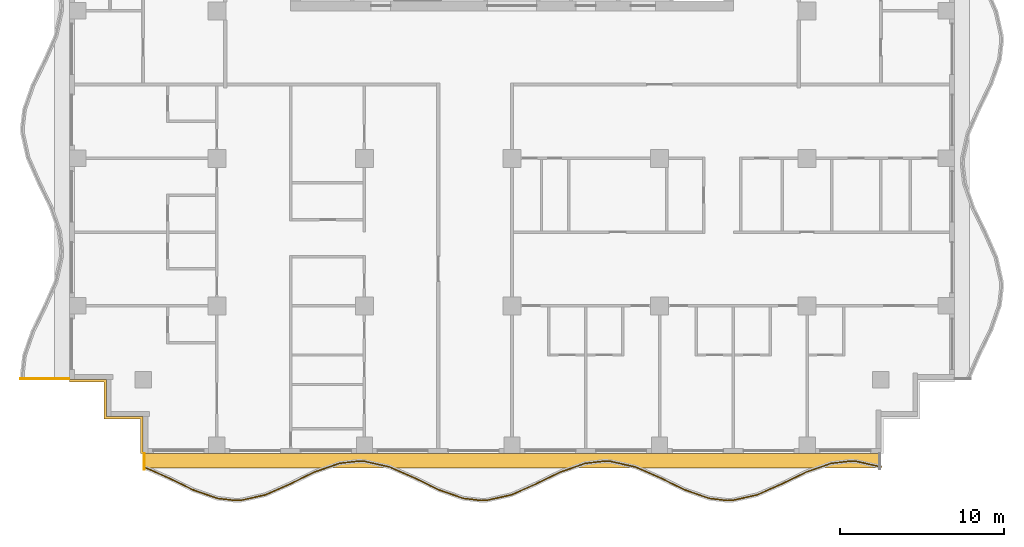
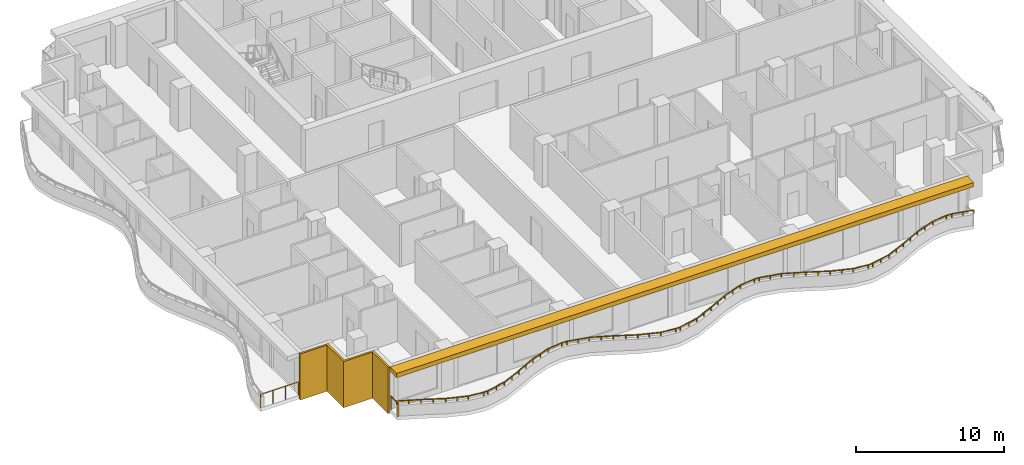
# One storey, part 9 of 12: 3 railings, 2 shading devices.
"""IFC4 building model written with IfcOpenShell, lengths in metres."""

from ifc_helpers import new_model, si_unit, direction, frame, origin, origin_2d, place, context, subcontext, project, spatial, polyline, rectangle, outline, extrude, material, layer, layer_set, type_object, element, save


model = new_model("IFC4")

# Units and contexts
model_context = context("Model", 3, precision=1e-05, world=origin(), true_north=direction((0.0, 1.0)))
body_context = subcontext(model_context, "Body", "Model", "MODEL_VIEW")
ifc_project = project(units=[si_unit("LENGTHUNIT", "METRE"), si_unit("AREAUNIT", "SQUARE_METRE"), si_unit("VOLUMEUNIT", "CUBIC_METRE"), si_unit("PLANEANGLEUNIT", "RADIAN"), si_unit("MASSUNIT", "GRAM", prefix="KILO")], contexts=[model_context])

# Site, building, storey
site_placement = place(None, origin())
site = spatial("IfcSite", under=ifc_project, at=site_placement, CompositionType="ELEMENT")
building_placement = place(site_placement, origin())
building = spatial("IfcBuilding", under=site, at=building_placement, Name="Orbiselva Terraces", CompositionType="ELEMENT")
storey_placement = place(building_placement, frame((0.0, 0.0, 207.2)))
storey = spatial("IfcBuildingStorey", under=building, at=storey_placement, Name="L52", CompositionType="ELEMENT", Elevation=207.2)

# Railings
ifc_material_1 = material(Name="Bonded two-ply safety glass balustrade, stainless steel posts", Category="steel")
railing_type_1 = type_object("IfcRailingType", Name="ENV-BALUSTRADE-1200", PredefinedType="BALUSTRADE", material=ifc_material_1)
railing_1_placement = place(storey_placement, frame((-22.449606, -23.33708, 0.9)))
element("IfcRailing", 1, at=railing_1_placement, inside=storey, type_object=railing_type_1, Name="Balcony balustrade L52 S", PredefinedType="BALUSTRADE", context=body_context, shape_type="SweptSolid", body=[
    extrude(outline(polyline([(0.028868, 0.0), (0.014434, 0.025), (-0.014434, 0.025), (-0.028868, 0.0), (-0.014434, -0.025), (0.014434, -0.025), (0.028868, 0.0)])), frame((0.0, 0.0, 0.275), z_axis=(0.915133394491, -0.403151175476, 0.0), x_axis=(0.403151175476, 0.915133394491, 0.0)), (0.0, 0.0, 1.0), 1.641563),
    extrude(outline(polyline([(0.028868, 0.0), (0.014434, 0.025), (-0.014434, 0.025), (-0.028868, 0.0), (-0.014434, -0.025), (0.014434, -0.025), (0.028868, 0.0)])), frame((1.502249, -0.661798, 0.275), z_axis=(0.89857890432, -0.438811978768, 0.0), x_axis=(0.438811978768, 0.89857890432, 0.0)), (0.0, 0.0, 1.0), 1.66438),
    extrude(outline(polyline([(0.028868, 0.0), (0.014434, 0.025), (-0.014434, 0.025), (-0.028868, 0.0), (-0.014434, -0.025), (0.014434, -0.025), (0.028868, 0.0)])), frame((2.997826, -1.392148, 0.275), z_axis=(0.943972277814, -0.330024754707, 0.0), x_axis=(0.330024754707, 0.943972277814, 0.0)), (0.0, 0.0, 1.0), 1.567807),
    extrude(outline(polyline([(0.028868, 0.0), (0.014434, 0.025), (-0.014434, 0.025), (-0.028868, 0.0), (-0.014434, -0.025), (0.014434, -0.025), (0.028868, 0.0)])), frame((4.477792, -1.909563, 0.275), z_axis=(0.993309658409, -0.115481264762, 0.0), x_axis=(0.115481264762, 0.993309658409, 0.0)), (0.0, 0.0, 1.0), 1.10902),
    extrude(outline(polyline([(0.028868, 0.0), (0.014434, 0.025), (-0.014434, 0.025), (-0.028868, 0.0), (-0.014434, -0.025), (0.014434, -0.025), (0.028868, 0.0)])), frame((5.579392, -2.037634, 0.275), z_axis=(0.999224931454, 0.039364150694, 0.0), x_axis=(-0.039364150694, 0.999224931454, 0.0)), (0.0, 0.0, 1.0), 0.354206),
    extrude(outline(polyline([(0.028868, 0.0), (0.014434, 0.025), (-0.014434, 0.025), (-0.028868, 0.0), (-0.014434, -0.025), (0.014434, -0.025), (0.028868, 0.0)])), frame((5.933323, -2.023691, 0.275), z_axis=(0.975721325753, 0.219015740235, 0.0), x_axis=(-0.219015740235, 0.975721325753, 0.0)), (0.0, 0.0, 1.0), 1.513782),
    extrude(outline(polyline([(0.028868, 0.0), (0.014434, 0.025), (-0.014434, 0.025), (-0.028868, 0.0), (-0.014434, -0.025), (0.014434, -0.025), (0.028868, 0.0)])), frame((7.410352, -1.692149, 0.275), z_axis=(0.915133363686, 0.403151245402, 0.0), x_axis=(-0.403151245402, 0.915133363686, 0.0)), (0.0, 0.0, 1.0), 1.624475),
    extrude(outline(polyline([(0.028868, 0.0), (0.014434, 0.025), (-0.014434, 0.025), (-0.028868, 0.0), (-0.014434, -0.025), (0.014434, -0.025), (0.028868, 0.0)])), frame((8.896963, -1.03724, 0.275), z_axis=(0.898578870221, 0.438812048596, 0.0), x_axis=(-0.438812048596, 0.898578870221, 0.0)), (0.0, 0.0, 1.0), 1.674225),
    extrude(outline(polyline([(0.028868, 0.0), (0.014434, 0.025), (-0.014434, 0.025), (-0.028868, 0.0), (-0.014434, -0.025), (0.014434, -0.025), (0.028868, 0.0)])), frame((10.401386, -0.30257, 0.275), z_axis=(0.943972332783, 0.330024597479, 0.0), x_axis=(-0.330024597479, 0.943972332783, 0.0)), (0.0, 0.0, 1.0), 1.610253),
    extrude(outline(polyline([(0.028868, 0.0), (0.014434, 0.025), (-0.014434, 0.025), (-0.028868, 0.0), (-0.014434, -0.025), (0.014434, -0.025), (0.028868, 0.0)])), frame((11.92142, 0.228853, 0.275), z_axis=(0.993309551734, 0.115482182324, 0.0), x_axis=(-0.115482182324, 0.993309551734, 0.0)), (0.0, 0.0, 1.0), 1.156135),
    extrude(outline(polyline([(0.028868, 0.0), (0.014434, 0.025), (-0.014434, 0.025), (-0.028868, 0.0), (-0.014434, -0.025), (0.014434, -0.025), (0.028868, 0.0)])), frame((13.06982, 0.362366, 0.275), z_axis=(0.999224734286, -0.03936915532, 0.0), x_axis=(0.03936915532, 0.999224734286, 0.0)), (0.0, 0.0, 1.0), 0.396376),
    extrude(outline(polyline([(0.028868, 0.0), (0.014434, 0.025), (-0.014434, 0.025), (-0.028868, 0.0), (-0.014434, -0.025), (0.014434, -0.025), (0.028868, 0.0)])), frame((13.465889, 0.346761, 0.275), z_axis=(0.97572137947, -0.219015500924, 0.0), x_axis=(0.219015500924, 0.97572137947, 0.0)), (0.0, 0.0, 1.0), 1.560867),
    extrude(outline(polyline([(0.028868, 0.0), (0.014434, 0.025), (-0.014434, 0.025), (-0.028868, 0.0), (-0.014434, -0.025), (0.014434, -0.025), (0.028868, 0.0)])), frame((14.98886, 0.004907, 0.275), z_axis=(0.915133527237, -0.403150874148, 0.0), x_axis=(0.403150874148, 0.915133527237, 0.0)), (0.0, 0.0, 1.0), 1.653736),
    extrude(outline(polyline([(0.028868, 0.0), (0.014434, 0.025), (-0.014434, 0.025), (-0.028868, 0.0), (-0.014434, -0.025), (0.014434, -0.025), (0.028868, 0.0)])), frame((16.502249, -0.661798, 0.275), z_axis=(0.89857890432, -0.438811978768, 0.0), x_axis=(0.438811978768, 0.89857890432, 0.0)), (0.0, 0.0, 1.0), 1.66438),
    extrude(outline(polyline([(0.028868, 0.0), (0.014434, 0.025), (-0.014434, 0.025), (-0.028868, 0.0), (-0.014434, -0.025), (0.014434, -0.025), (0.028868, 0.0)])), frame((17.997826, -1.392148, 0.275), z_axis=(0.943972277814, -0.330024754707, 0.0), x_axis=(0.330024754707, 0.943972277814, 0.0)), (0.0, 0.0, 1.0), 1.567807),
    extrude(outline(polyline([(0.028868, 0.0), (0.014434, 0.025), (-0.014434, 0.025), (-0.028868, 0.0), (-0.014434, -0.025), (0.014434, -0.025), (0.028868, 0.0)])), frame((19.477792, -1.909563, 0.275), z_axis=(0.993309658409, -0.115481264762, 0.0), x_axis=(0.115481264762, 0.993309658409, 0.0)), (0.0, 0.0, 1.0), 1.10902),
    extrude(outline(polyline([(0.028868, 0.0), (0.014434, 0.025), (-0.014434, 0.025), (-0.028868, 0.0), (-0.014434, -0.025), (0.014434, -0.025), (0.028868, 0.0)])), frame((20.579392, -2.037634, 0.275), z_axis=(0.999224931454, 0.039364150694, 0.0), x_axis=(-0.039364150694, 0.999224931454, 0.0)), (0.0, 0.0, 1.0), 0.354206),
    extrude(outline(polyline([(0.028868, 0.0), (0.014434, 0.025), (-0.014434, 0.025), (-0.028868, 0.0), (-0.014434, -0.025), (0.014434, -0.025), (0.028868, 0.0)])), frame((20.933323, -2.023691, 0.275), z_axis=(0.975721325753, 0.219015740235, 0.0), x_axis=(-0.219015740235, 0.975721325753, 0.0)), (0.0, 0.0, 1.0), 1.513782),
    extrude(outline(polyline([(0.028868, 0.0), (0.014434, 0.025), (-0.014434, 0.025), (-0.028868, 0.0), (-0.014434, -0.025), (0.014434, -0.025), (0.028868, 0.0)])), frame((22.410352, -1.692149, 0.275), z_axis=(0.915133363686, 0.403151245402, 0.0), x_axis=(-0.403151245402, 0.915133363686, 0.0)), (0.0, 0.0, 1.0), 1.624475),
    extrude(outline(polyline([(0.028868, 0.0), (0.014434, 0.025), (-0.014434, 0.025), (-0.028868, 0.0), (-0.014434, -0.025), (0.014434, -0.025), (0.028868, 0.0)])), frame((23.896963, -1.03724, 0.275), z_axis=(0.898578870221, 0.438812048596, 0.0), x_axis=(-0.438812048596, 0.898578870221, 0.0)), (0.0, 0.0, 1.0), 1.674225),
    extrude(outline(polyline([(0.028868, 0.0), (0.014434, 0.025), (-0.014434, 0.025), (-0.028868, 0.0), (-0.014434, -0.025), (0.014434, -0.025), (0.028868, 0.0)])), frame((25.401386, -0.30257, 0.275), z_axis=(0.943972332783, 0.330024597479, 0.0), x_axis=(-0.330024597479, 0.943972332783, 0.0)), (0.0, 0.0, 1.0), 1.610253),
    extrude(outline(polyline([(0.028868, 0.0), (0.014434, 0.025), (-0.014434, 0.025), (-0.028868, 0.0), (-0.014434, -0.025), (0.014434, -0.025), (0.028868, 0.0)])), frame((26.92142, 0.228853, 0.275), z_axis=(0.993309551734, 0.115482182324, 0.0), x_axis=(-0.115482182324, 0.993309551734, 0.0)), (0.0, 0.0, 1.0), 1.156135),
    extrude(outline(polyline([(0.028868, 0.0), (0.014434, 0.025), (-0.014434, 0.025), (-0.028868, 0.0), (-0.014434, -0.025), (0.014434, -0.025), (0.028868, 0.0)])), frame((28.06982, 0.362366, 0.275), z_axis=(0.999224734286, -0.03936915532, 0.0), x_axis=(0.03936915532, 0.999224734286, 0.0)), (0.0, 0.0, 1.0), 0.396376),
    extrude(outline(polyline([(0.028868, 0.0), (0.014434, 0.025), (-0.014434, 0.025), (-0.028868, 0.0), (-0.014434, -0.025), (0.014434, -0.025), (0.028868, 0.0)])), frame((28.465889, 0.346761, 0.275), z_axis=(0.97572137947, -0.219015500924, 0.0), x_axis=(0.219015500924, 0.97572137947, 0.0)), (0.0, 0.0, 1.0), 1.560867),
    extrude(outline(polyline([(0.028868, 0.0), (0.014434, 0.025), (-0.014434, 0.025), (-0.028868, 0.0), (-0.014434, -0.025), (0.014434, -0.025), (0.028868, 0.0)])), frame((29.98886, 0.004907, 0.275), z_axis=(0.915133527237, -0.403150874148, 0.0), x_axis=(0.403150874148, 0.915133527237, 0.0)), (0.0, 0.0, 1.0), 1.653736),
    extrude(outline(polyline([(0.028868, 0.0), (0.014434, 0.025), (-0.014434, 0.025), (-0.028868, 0.0), (-0.014434, -0.025), (0.014434, -0.025), (0.028868, 0.0)])), frame((31.502249, -0.661798, 0.275), z_axis=(0.89857890432, -0.438811978768, 0.0), x_axis=(0.438811978768, 0.89857890432, 0.0)), (0.0, 0.0, 1.0), 1.66438),
    extrude(outline(polyline([(0.028868, 0.0), (0.014434, 0.025), (-0.014434, 0.025), (-0.028868, 0.0), (-0.014434, -0.025), (0.014434, -0.025), (0.028868, 0.0)])), frame((32.997826, -1.392148, 0.275), z_axis=(0.943972277814, -0.330024754707, 0.0), x_axis=(0.330024754707, 0.943972277814, 0.0)), (0.0, 0.0, 1.0), 1.567807),
    extrude(outline(polyline([(0.028868, 0.0), (0.014434, 0.025), (-0.014434, 0.025), (-0.028868, 0.0), (-0.014434, -0.025), (0.014434, -0.025), (0.028868, 0.0)])), frame((34.477792, -1.909563, 0.275), z_axis=(0.993309658409, -0.115481264762, 0.0), x_axis=(0.115481264762, 0.993309658409, 0.0)), (0.0, 0.0, 1.0), 1.10902),
    extrude(outline(polyline([(0.028868, 0.0), (0.014434, 0.025), (-0.014434, 0.025), (-0.028868, 0.0), (-0.014434, -0.025), (0.014434, -0.025), (0.028868, 0.0)])), frame((35.579392, -2.037634, 0.275), z_axis=(0.999224931454, 0.039364150694, 0.0), x_axis=(-0.039364150694, 0.999224931454, 0.0)), (0.0, 0.0, 1.0), 0.354206),
    extrude(outline(polyline([(0.028868, 0.0), (0.014434, 0.025), (-0.014434, 0.025), (-0.028868, 0.0), (-0.014434, -0.025), (0.014434, -0.025), (0.028868, 0.0)])), frame((35.933323, -2.023691, 0.275), z_axis=(0.975721325753, 0.219015740235, 0.0), x_axis=(-0.219015740235, 0.975721325753, 0.0)), (0.0, 0.0, 1.0), 1.513782),
    extrude(outline(polyline([(0.028868, 0.0), (0.014434, 0.025), (-0.014434, 0.025), (-0.028868, 0.0), (-0.014434, -0.025), (0.014434, -0.025), (0.028868, 0.0)])), frame((37.410352, -1.692149, 0.275), z_axis=(0.915133363686, 0.403151245402, 0.0), x_axis=(-0.403151245402, 0.915133363686, 0.0)), (0.0, 0.0, 1.0), 1.624475),
    extrude(outline(polyline([(0.028868, 0.0), (0.014434, 0.025), (-0.014434, 0.025), (-0.028868, 0.0), (-0.014434, -0.025), (0.014434, -0.025), (0.028868, 0.0)])), frame((38.896963, -1.03724, 0.275), z_axis=(0.898578870221, 0.438812048596, 0.0), x_axis=(-0.438812048596, 0.898578870221, 0.0)), (0.0, 0.0, 1.0), 1.674225),
    extrude(outline(polyline([(0.028868, 0.0), (0.014434, 0.025), (-0.014434, 0.025), (-0.028868, 0.0), (-0.014434, -0.025), (0.014434, -0.025), (0.028868, 0.0)])), frame((40.401386, -0.30257, 0.275), z_axis=(0.943972332783, 0.330024597479, 0.0), x_axis=(-0.330024597479, 0.943972332783, 0.0)), (0.0, 0.0, 1.0), 1.610253),
    extrude(outline(polyline([(0.028868, 0.0), (0.014434, 0.025), (-0.014434, 0.025), (-0.028868, 0.0), (-0.014434, -0.025), (0.014434, -0.025), (0.028868, 0.0)])), frame((41.92142, 0.228853, 0.275), z_axis=(0.993309551734, 0.115482182324, 0.0), x_axis=(-0.115482182324, 0.993309551734, 0.0)), (0.0, 0.0, 1.0), 1.156135),
    extrude(outline(polyline([(0.028868, 0.0), (0.014434, 0.025), (-0.014434, 0.025), (-0.028868, 0.0), (-0.014434, -0.025), (0.014434, -0.025), (0.028868, 0.0)])), frame((43.06982, 0.362366, 0.275), z_axis=(0.999224734286, -0.03936915532, 0.0), x_axis=(0.03936915532, 0.999224734286, 0.0)), (0.0, 0.0, 1.0), 0.396376),
    extrude(outline(polyline([(0.028868, 0.0), (0.014434, 0.025), (-0.014434, 0.025), (-0.028868, 0.0), (-0.014434, -0.025), (0.014434, -0.025), (0.028868, 0.0)])), frame((43.465889, 0.346761, 0.275), z_axis=(0.97572138316, -0.219015484484, 0.0), x_axis=(0.219015484484, 0.97572138316, 0.0)), (0.0, 0.0, 1.0), 1.548694),
    extrude(rectangle(XDim=0.05, YDim=0.05, at=origin_2d()), origin(), (0.0, 0.0, 1.0), 0.25),
    extrude(rectangle(XDim=0.05, YDim=0.05, at=origin_2d()), frame((0.751124, -0.330899, 0.0)), (0.0, 0.0, 1.0), 0.25),
    extrude(rectangle(XDim=0.05, YDim=0.05, at=origin_2d()), frame((1.502249, -0.661798, 0.0)), (0.0, 0.0, 1.0), 0.25),
    extrude(rectangle(XDim=0.05, YDim=0.05, at=origin_2d()), frame((2.250037, -1.026973, 0.0)), (0.0, 0.0, 1.0), 0.25),
    extrude(rectangle(XDim=0.05, YDim=0.05, at=origin_2d()), frame((2.997826, -1.392148, 0.0)), (0.0, 0.0, 1.0), 0.25),
    extrude(rectangle(XDim=0.05, YDim=0.05, at=origin_2d()), frame((3.737809, -1.650855, 0.0)), (0.0, 0.0, 1.0), 0.25),
    extrude(rectangle(XDim=0.05, YDim=0.05, at=origin_2d()), frame((4.477792, -1.909563, 0.0)), (0.0, 0.0, 1.0), 0.25),
    extrude(rectangle(XDim=0.05, YDim=0.05, at=origin_2d()), frame((5.579392, -2.037634, 0.0)), (0.0, 0.0, 1.0), 0.25),
    extrude(rectangle(XDim=0.05, YDim=0.05, at=origin_2d()), frame((5.933323, -2.023691, 0.0)), (0.0, 0.0, 1.0), 0.25),
    extrude(rectangle(XDim=0.05, YDim=0.05, at=origin_2d()), frame((6.671837, -1.85792, 0.0)), (0.0, 0.0, 1.0), 0.25),
    extrude(rectangle(XDim=0.05, YDim=0.05, at=origin_2d()), frame((7.410352, -1.692149, 0.0)), (0.0, 0.0, 1.0), 0.25),
    extrude(rectangle(XDim=0.05, YDim=0.05, at=origin_2d()), frame((8.153658, -1.364695, 0.0)), (0.0, 0.0, 1.0), 0.25),
    extrude(rectangle(XDim=0.05, YDim=0.05, at=origin_2d()), frame((8.896963, -1.03724, 0.0)), (0.0, 0.0, 1.0), 0.25),
    extrude(rectangle(XDim=0.05, YDim=0.05, at=origin_2d()), frame((9.649174, -0.669905, 0.0)), (0.0, 0.0, 1.0), 0.25),
    extrude(rectangle(XDim=0.05, YDim=0.05, at=origin_2d()), frame((10.401386, -0.30257, 0.0)), (0.0, 0.0, 1.0), 0.25),
    extrude(rectangle(XDim=0.05, YDim=0.05, at=origin_2d()), frame((11.161403, -0.036858, 0.0)), (0.0, 0.0, 1.0), 0.25),
    extrude(rectangle(XDim=0.05, YDim=0.05, at=origin_2d()), frame((11.92142, 0.228853, 0.0)), (0.0, 0.0, 1.0), 0.25),
    extrude(rectangle(XDim=0.05, YDim=0.05, at=origin_2d()), frame((13.06982, 0.362366, 0.0)), (0.0, 0.0, 1.0), 0.25),
    extrude(rectangle(XDim=0.05, YDim=0.05, at=origin_2d()), frame((13.465889, 0.346761, 0.0)), (0.0, 0.0, 1.0), 0.25),
    extrude(rectangle(XDim=0.05, YDim=0.05, at=origin_2d()), frame((14.227374, 0.175834, 0.0)), (0.0, 0.0, 1.0), 0.25),
    extrude(rectangle(XDim=0.05, YDim=0.05, at=origin_2d()), frame((14.98886, 0.004907, 0.0)), (0.0, 0.0, 1.0), 0.25),
    extrude(rectangle(XDim=0.05, YDim=0.05, at=origin_2d()), frame((15.745554, -0.328446, 0.0)), (0.0, 0.0, 1.0), 0.25),
    extrude(rectangle(XDim=0.05, YDim=0.05, at=origin_2d()), frame((16.502249, -0.661798, 0.0)), (0.0, 0.0, 1.0), 0.25),
    extrude(rectangle(XDim=0.05, YDim=0.05, at=origin_2d()), frame((17.250037, -1.026973, 0.0)), (0.0, 0.0, 1.0), 0.25),
    extrude(rectangle(XDim=0.05, YDim=0.05, at=origin_2d()), frame((17.997826, -1.392148, 0.0)), (0.0, 0.0, 1.0), 0.25),
    extrude(rectangle(XDim=0.05, YDim=0.05, at=origin_2d()), frame((18.737809, -1.650855, 0.0)), (0.0, 0.0, 1.0), 0.25),
    extrude(rectangle(XDim=0.05, YDim=0.05, at=origin_2d()), frame((19.477792, -1.909563, 0.0)), (0.0, 0.0, 1.0), 0.25),
    extrude(rectangle(XDim=0.05, YDim=0.05, at=origin_2d()), frame((20.579392, -2.037634, 0.0)), (0.0, 0.0, 1.0), 0.25),
    extrude(rectangle(XDim=0.05, YDim=0.05, at=origin_2d()), frame((20.933323, -2.023691, 0.0)), (0.0, 0.0, 1.0), 0.25),
    extrude(rectangle(XDim=0.05, YDim=0.05, at=origin_2d()), frame((21.671838, -1.85792, 0.0)), (0.0, 0.0, 1.0), 0.25),
    extrude(rectangle(XDim=0.05, YDim=0.05, at=origin_2d()), frame((22.410352, -1.692149, 0.0)), (0.0, 0.0, 1.0), 0.25),
    extrude(rectangle(XDim=0.05, YDim=0.05, at=origin_2d()), frame((23.153658, -1.364695, 0.0)), (0.0, 0.0, 1.0), 0.25),
    extrude(rectangle(XDim=0.05, YDim=0.05, at=origin_2d()), frame((23.896963, -1.03724, 0.0)), (0.0, 0.0, 1.0), 0.25),
    extrude(rectangle(XDim=0.05, YDim=0.05, at=origin_2d()), frame((24.649174, -0.669905, 0.0)), (0.0, 0.0, 1.0), 0.25),
    extrude(rectangle(XDim=0.05, YDim=0.05, at=origin_2d()), frame((25.401386, -0.30257, 0.0)), (0.0, 0.0, 1.0), 0.25),
    extrude(rectangle(XDim=0.05, YDim=0.05, at=origin_2d()), frame((26.161403, -0.036858, 0.0)), (0.0, 0.0, 1.0), 0.25),
    extrude(rectangle(XDim=0.05, YDim=0.05, at=origin_2d()), frame((26.92142, 0.228853, 0.0)), (0.0, 0.0, 1.0), 0.25),
    extrude(rectangle(XDim=0.05, YDim=0.05, at=origin_2d()), frame((28.06982, 0.362366, 0.0)), (0.0, 0.0, 1.0), 0.25),
    extrude(rectangle(XDim=0.05, YDim=0.05, at=origin_2d()), frame((28.465889, 0.346761, 0.0)), (0.0, 0.0, 1.0), 0.25),
    extrude(rectangle(XDim=0.05, YDim=0.05, at=origin_2d()), frame((29.227374, 0.175834, 0.0)), (0.0, 0.0, 1.0), 0.25),
    extrude(rectangle(XDim=0.05, YDim=0.05, at=origin_2d()), frame((29.98886, 0.004907, 0.0)), (0.0, 0.0, 1.0), 0.25),
    extrude(rectangle(XDim=0.05, YDim=0.05, at=origin_2d()), frame((30.745554, -0.328446, 0.0)), (0.0, 0.0, 1.0), 0.25),
    extrude(rectangle(XDim=0.05, YDim=0.05, at=origin_2d()), frame((31.502249, -0.661798, 0.0)), (0.0, 0.0, 1.0), 0.25),
    extrude(rectangle(XDim=0.05, YDim=0.05, at=origin_2d()), frame((32.250038, -1.026973, 0.0)), (0.0, 0.0, 1.0), 0.25),
    extrude(rectangle(XDim=0.05, YDim=0.05, at=origin_2d()), frame((32.997826, -1.392148, 0.0)), (0.0, 0.0, 1.0), 0.25),
    extrude(rectangle(XDim=0.05, YDim=0.05, at=origin_2d()), frame((33.737809, -1.650855, 0.0)), (0.0, 0.0, 1.0), 0.25),
    extrude(rectangle(XDim=0.05, YDim=0.05, at=origin_2d()), frame((34.477792, -1.909563, 0.0)), (0.0, 0.0, 1.0), 0.25),
    extrude(rectangle(XDim=0.05, YDim=0.05, at=origin_2d()), frame((35.579392, -2.037634, 0.0)), (0.0, 0.0, 1.0), 0.25),
    extrude(rectangle(XDim=0.05, YDim=0.05, at=origin_2d()), frame((35.933323, -2.023691, 0.0)), (0.0, 0.0, 1.0), 0.25),
    extrude(rectangle(XDim=0.05, YDim=0.05, at=origin_2d()), frame((36.671838, -1.85792, 0.0)), (0.0, 0.0, 1.0), 0.25),
    extrude(rectangle(XDim=0.05, YDim=0.05, at=origin_2d()), frame((37.410352, -1.692149, 0.0)), (0.0, 0.0, 1.0), 0.25),
    extrude(rectangle(XDim=0.05, YDim=0.05, at=origin_2d()), frame((38.153658, -1.364695, 0.0)), (0.0, 0.0, 1.0), 0.25),
    extrude(rectangle(XDim=0.05, YDim=0.05, at=origin_2d()), frame((38.896963, -1.03724, 0.0)), (0.0, 0.0, 1.0), 0.25),
    extrude(rectangle(XDim=0.05, YDim=0.05, at=origin_2d()), frame((39.649174, -0.669905, 0.0)), (0.0, 0.0, 1.0), 0.25),
    extrude(rectangle(XDim=0.05, YDim=0.05, at=origin_2d()), frame((40.401386, -0.30257, 0.0)), (0.0, 0.0, 1.0), 0.25),
    extrude(rectangle(XDim=0.05, YDim=0.05, at=origin_2d()), frame((41.161403, -0.036858, 0.0)), (0.0, 0.0, 1.0), 0.25),
    extrude(rectangle(XDim=0.05, YDim=0.05, at=origin_2d()), frame((41.92142, 0.228853, 0.0)), (0.0, 0.0, 1.0), 0.25),
    extrude(rectangle(XDim=0.05, YDim=0.05, at=origin_2d()), frame((43.06982, 0.362366, 0.0)), (0.0, 0.0, 1.0), 0.25),
    extrude(rectangle(XDim=0.05, YDim=0.05, at=origin_2d()), frame((43.465889, 0.346761, 0.0)), (0.0, 0.0, 1.0), 0.25),
    extrude(rectangle(XDim=0.05, YDim=0.05, at=origin_2d()), frame((44.221436, 0.177167, 0.0)), (0.0, 0.0, 1.0), 0.25),
    extrude(rectangle(XDim=0.05, YDim=0.05, at=origin_2d()), frame((44.976983, 0.007573, 0.0)), (0.0, 0.0, 1.0), 0.25),
])
ifc_material_2 = material(Name="Stainless steel rail and posts", Category="steel")
railing_type_2 = type_object("IfcRailingType", Name="ENV-GUARD-1105", PredefinedType="BALUSTRADE", material=ifc_material_2)
railing_2_placement = place(storey_placement, frame((-22.44, -23.473063, 0.0)))
element("IfcRailing", 2, at=railing_2_placement, inside=storey, type_object=railing_type_2, Name="Balcony end guard L52 S", PredefinedType="BALUSTRADE", context=body_context, shape_type="SweptSolid", body=[
    extrude(outline(polyline([(0.028868, 0.0), (0.014434, 0.025), (-0.014434, 0.025), (-0.028868, 0.0), (-0.014434, -0.025), (0.014434, -0.025), (0.028868, 0.0)])), frame((0.0, 0.0, 1.08), z_axis=(0.0, 1.0, 0.0), x_axis=(-1.0, 0.0, 0.0)), (0.0, 0.0, 1.0), 0.948063),
    extrude(rectangle(XDim=0.05, YDim=0.05, at=origin_2d()), origin(), (0.0, 0.0, 1.0), 1.055),
    extrude(rectangle(XDim=0.05, YDim=0.05, at=origin_2d()), frame((0.0, 0.948063, 0.0)), (0.0, 0.0, 1.0), 1.055),
])
railing_3_placement = place(storey_placement, frame((-29.989569, -17.94, 0.0)))
element("IfcRailing", 3, at=railing_3_placement, inside=storey, type_object=railing_type_2, Name="Balcony end guard L52 W", PredefinedType="BALUSTRADE", context=body_context, shape_type="SweptSolid", body=[
    extrude(outline(polyline([(0.028868, 0.0), (0.014434, 0.025), (-0.014434, 0.025), (-0.028868, 0.0), (-0.014434, -0.025), (0.014434, -0.025), (0.028868, 0.0)])), frame((0.0, 0.0, 1.08), z_axis=(1.0, 0.0, 0.0), x_axis=(0.0, 1.0, 0.0)), (0.0, 0.0, 1.0), 2.964569),
    extrude(rectangle(XDim=0.05, YDim=0.05, at=origin_2d()), origin(), (0.0, 0.0, 1.0), 1.055),
    extrude(rectangle(XDim=0.05, YDim=0.05, at=origin_2d()), frame((0.98819, 0.0, 0.0)), (0.0, 0.0, 1.0), 1.055),
    extrude(rectangle(XDim=0.05, YDim=0.05, at=origin_2d()), frame((1.976379, 0.0, 0.0)), (0.0, 0.0, 1.0), 1.055),
    extrude(rectangle(XDim=0.05, YDim=0.05, at=origin_2d()), frame((2.964569, 0.0, 0.0)), (0.0, 0.0, 1.0), 1.055),
])

# Shading devices
ifc_material_3 = material(Name="Terracotta louvre screen", Category="masonry")
ifc_layer_1 = layer(ifc_material_3, 0.15)
ifc_layer_set_1 = layer_set([ifc_layer_1], Name="Terracotta louvre screen")
shading_device_type_1 = type_object("IfcShadingDeviceType", Name="ENV-SCREEN-150", PredefinedType="USERDEFINED", material=ifc_layer_set_1)
shading_device_1_placement = place(storey_placement, frame((0.0, 0.0, -0.3)))
element("IfcShadingDevice", 4, at=shading_device_1_placement, inside=storey, type_object=shading_device_type_1, Name="Louvre screen L52 SW", ObjectType="SCREEN", PredefinedType="USERDEFINED", context=body_context, shape_type="SweptSolid", body=[
    extrude(outline(polyline([(-27.0, -18.15), (-24.9, -18.15), (-24.9, -20.4), (-22.65, -20.4), (-22.65, -22.5), (-22.5, -22.5), (-22.5, -20.25), (-24.75, -20.25), (-24.75, -18.0), (-27.0, -18.0), (-27.0, -18.15)])), origin(), (0.0, 0.0, 1.0), 3.8),
])
ifc_material_4 = material(Name="Terracotta baguette sunshade", Category="masonry")
ifc_layer_2 = layer(ifc_material_4, 0.35)
ifc_layer_set_2 = layer_set([ifc_layer_2], Name="Terracotta baguette sunshade")
shading_device_type_2 = type_object("IfcShadingDeviceType", Name="ENV-SUNSHADE-900x350", PredefinedType="USERDEFINED", material=ifc_layer_set_2)
shading_device_2_placement = place(storey_placement, frame((0.0, 0.0, 3.15)))
element("IfcShadingDevice", 5, at=shading_device_2_placement, inside=storey, type_object=shading_device_type_2, Name="Sunshade band L52 S", ObjectType="SUNSHADE", PredefinedType="USERDEFINED", context=body_context, shape_type="SweptSolid", body=[
    extrude(outline(polyline([(-22.5, -23.4), (22.5, -23.4), (22.5, -22.5), (-22.5, -22.5), (-22.5, -23.4)])), origin(), (0.0, 0.0, 1.0), 0.35),
])

save(model, "model.ifc")
